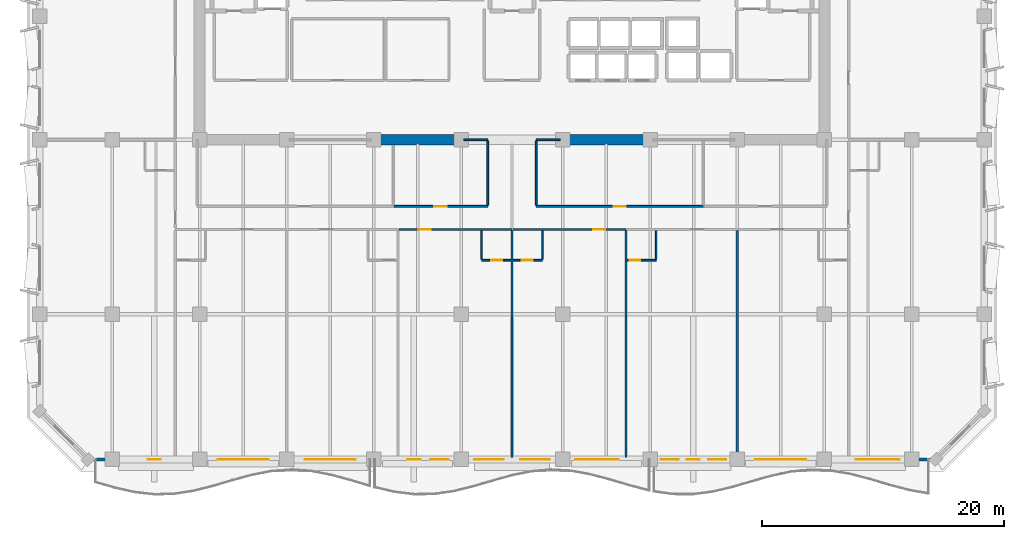
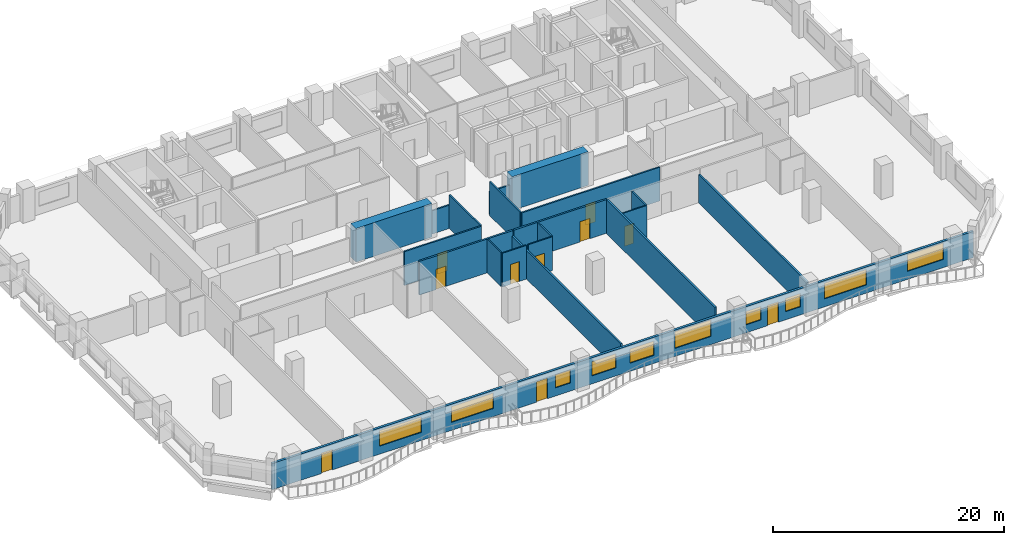
# One storey, part 5 of 14: 20 walls, 10 doors, 10 windows, 20 openings.
"""IFC4 building model written with IfcOpenShell, lengths in metres."""

import ifcopenshell
import ifcopenshell.guid

model = None  # the IFC model being written
_history = None  # IfcOwnerHistory: only IFC2X3 demands one
_inside = {}  # id of a spatial element -> (the spatial element, [elements in it])
_under = {}  # id of a project, library or spatial element -> (it, [spatial elements below it])
_declared = {}  # id of a project -> (the project, [libraries it declares])
_typed = {}  # id of a type object -> (the type object, [elements of that type])
_made_of = {}  # id of a material, layer set ... -> (it, [elements and type objects made of it])


def new_model(schema):
    """Start an empty IFC model of exactly this schema.

    Asked for "IFC4X3", IfcOpenShell would pick the latest addendum, in which some entities
    have other attributes; the version numbers below select the first issue.
    IFC2X3 requires an IfcOwnerHistory on every rooted entity: one is made here for all.
    """
    global model, _history
    if schema == "IFC4X3":
        model = ifcopenshell.file(schema_version=(4, 3, 0, 0))
    else:
        model = ifcopenshell.file(schema=schema)
    _inside.clear()
    _under.clear()
    _declared.clear()
    _typed.clear()
    _made_of.clear()
    _history = None
    if model.schema == "IFC2X3":
        org = make("IfcOrganization", Name="unknown")
        user = make(
            "IfcPersonAndOrganization",
            ThePerson=make("IfcPerson", FamilyName="unknown"),
            TheOrganization=org,
        )
        app = make(
            "IfcApplication",
            ApplicationDeveloper=org,
            Version="unknown",
            ApplicationFullName="unknown",
            ApplicationIdentifier="unknown",
        )
        _history = make(
            "IfcOwnerHistory",
            OwningUser=user,
            OwningApplication=app,
            ChangeAction="ADDED",
            CreationDate=0,
        )
    return model


def make(cls, **values):
    """One entity of the class cls with the attributes given. An attribute that is None is left unset."""
    return model.create_entity(
        cls, **{name: value for name, value in values.items() if value is not None}
    )


def rooted(cls, **values):
    """An entity with a GlobalId (a new one), such as an element, a storey or a relation."""
    return make(cls, GlobalId=ifcopenshell.guid.new(), OwnerHistory=_history, **values)


def si_unit(unit_type, name, prefix=None):
    """IfcSIUnit, for example si_unit("LENGTHUNIT", "METRE", prefix="MILLI")."""
    return make("IfcSIUnit", UnitType=unit_type, Prefix=prefix, Name=name)


def assignment(units):
    """IfcUnitAssignment: the units of a project."""
    return None if units is None else make("IfcUnitAssignment", Units=units)


def point(xyz):
    """IfcCartesianPoint."""
    return None if xyz is None else make("IfcCartesianPoint", Coordinates=xyz)


def direction(xyz):
    """IfcDirection."""
    return None if xyz is None else make("IfcDirection", DirectionRatios=xyz)


def frame(location, z_axis=None, x_axis=None):
    """IfcAxis2Placement3D, a coordinate frame: its origin and axes. An axis left out is left unset."""
    return make(
        "IfcAxis2Placement3D",
        Location=point(location),
        Axis=direction(z_axis),
        RefDirection=direction(x_axis),
    )


def frame_2d(location, x_axis=None):
    """IfcAxis2Placement2D, a coordinate frame in the plane: its origin and x axis."""
    return make(
        "IfcAxis2Placement2D", Location=point(location), RefDirection=direction(x_axis)
    )


def origin():
    """The frame at (0, 0, 0) with its axes left unset."""
    return frame((0.0, 0.0, 0.0))


def place(relative_to, where):
    """IfcLocalPlacement: puts the frame where relative to a parent placement (None: the world)."""
    return make(
        "IfcLocalPlacement", PlacementRelTo=relative_to, RelativePlacement=where
    )


def context(
    kind, dimensions, precision=None, world=None, true_north=None, identifier=None
):
    """IfcGeometricRepresentationContext, for example the 3D "Model" context."""
    return make(
        "IfcGeometricRepresentationContext",
        ContextIdentifier=identifier,
        ContextType=kind,
        CoordinateSpaceDimension=dimensions,
        Precision=precision,
        WorldCoordinateSystem=world,
        TrueNorth=true_north,
    )


def subcontext(parent, identifier, kind, view, scale=None):
    """IfcGeometricRepresentationSubContext, for example "Body" below "Model"."""
    return make(
        "IfcGeometricRepresentationSubContext",
        ContextIdentifier=identifier,
        ContextType=kind,
        ParentContext=parent,
        TargetScale=scale,
        TargetView=view,
    )


def project(units=None, contexts=None):
    """IfcProject with its units and contexts."""
    return rooted(
        "IfcProject",
        Name="project",
        RepresentationContexts=contexts,
        UnitsInContext=assignment(units),
    )


def spatial(cls, under=None, at=None, **own):
    """A site, building, storey or space (cls), placed at a placement, below another one or the project."""
    s = rooted(cls, ObjectPlacement=at, **own)
    if under is not None:
        _under.setdefault(under.id(), (under, []))[1].append(s)
    return s


def profile(cls, at=None, kind="AREA", **sizes):
    """A parametric profile (cls). Its sizes go by their IFC names, for example OverallWidth=200.0."""
    return make(cls, ProfileType=kind, Position=at, **sizes)


def rectangle(**sizes):
    """IfcRectangleProfileDef."""
    return profile("IfcRectangleProfileDef", **sizes)


def extrude(swept, where, along, depth):
    """IfcExtrudedAreaSolid: the profile swept, set in the frame where, extruded along a direction by depth."""
    return make(
        "IfcExtrudedAreaSolid",
        SweptArea=swept,
        Position=where,
        ExtrudedDirection=direction(along),
        Depth=depth,
    )


def shape(context_of_items, identifier, shape_type, items):
    """IfcShapeRepresentation: the items that make up one representation, for example the "Body"."""
    return make(
        "IfcShapeRepresentation",
        ContextOfItems=context_of_items,
        RepresentationIdentifier=identifier,
        RepresentationType=shape_type,
        Items=items,
    )


def material(Name=None, Category=None):
    """IfcMaterial."""
    return make("IfcMaterial", Name=Name, Category=Category)


def layer(
    of_material, thickness, ventilated=None, Name=None, Category=None, Priority=None
):
    """IfcMaterialLayer: one layer of a wall or slab, of a material (None: an air gap)."""
    return make(
        "IfcMaterialLayer",
        Material=of_material,
        LayerThickness=thickness,
        IsVentilated=ventilated,
        Name=Name,
        Category=Category,
        Priority=Priority,
    )


def layer_set(layers, Name=None):
    """IfcMaterialLayerSet."""
    return make("IfcMaterialLayerSet", MaterialLayers=layers, LayerSetName=Name)


def made_of(thing, what):
    """Note that an element or type object is made of a material, layer set ...; save() writes the relation."""
    if what is not None:
        _made_of.setdefault(what.id(), (what, []))[1].append(thing)
    return thing


def type_object(cls, material=None, **own):
    """A type object (cls), such as IfcWallType, which elements share."""
    return made_of(rooted(cls, **own), material)


def element(
    cls,
    number,
    at=None,
    inside=None,
    cuts=None,
    type_object=None,
    material=None,
    context=None,
    identifier="Body",
    shape_type=None,
    held_by="IfcProductDefinitionShape",
    body=None,
    shapes=None,
    **own,
):
    """One element of the class cls, such as IfcWall. Its Tag is "e" and its number.

    at: its placement. inside: the storey or other place that contains it. cuts: it is an
    opening in that element (IfcRelVoidsElement). A single representation is given by context,
    identifier, shape_type and body (its items); several are given by shapes. held_by: the class
    of the entity that holds the representations. save() writes the other relations.
    """
    e = rooted(cls, Tag="e%d" % number, ObjectPlacement=at, **own)
    if body is not None:
        shapes = [shape(context, identifier, shape_type, body)]
    if shapes is not None:
        e.Representation = make(held_by, Representations=shapes)
    if inside is not None:
        _inside.setdefault(inside.id(), (inside, []))[1].append(e)
    if cuts is not None:
        rooted(
            "IfcRelVoidsElement", RelatingBuildingElement=cuts, RelatedOpeningElement=e
        )
    if type_object is not None:
        _typed.setdefault(type_object.id(), (type_object, []))[1].append(e)
    return made_of(e, material)


def fill(opening, filler):
    """IfcRelFillsElement: the door or window that sits in an opening."""
    return rooted(
        "IfcRelFillsElement",
        RelatingOpeningElement=opening,
        RelatedBuildingElement=filler,
    )


def aggregate(whole, parts):
    """IfcRelAggregates: a whole, such as a stair, and the parts it consists of."""
    return rooted("IfcRelAggregates", RelatingObject=whole, RelatedObjects=parts)


def save(model, path):
    """Write the relations noted so far, then the file.

    IfcRelAggregates (storeys below a building ...), IfcRelContainedInSpatialStructure (elements
    in a storey), IfcRelDefinesByType, IfcRelAssociatesMaterial and IfcRelDeclares: one each for
    every whole, place, type object, material and project.
    """
    for whole, parts in _under.values():
        aggregate(whole, parts)
    for where, things in _inside.values():
        rooted(
            "IfcRelContainedInSpatialStructure",
            RelatedElements=things,
            RelatingStructure=where,
        )
    for kind, things in _typed.values():
        rooted("IfcRelDefinesByType", RelatedObjects=things, RelatingType=kind)
    for what, things in _made_of.values():
        rooted("IfcRelAssociatesMaterial", RelatedObjects=things, RelatingMaterial=what)
    for by, libraries in _declared.values():
        rooted("IfcRelDeclares", RelatingContext=by, RelatedDefinitions=libraries)
    model.write(path)


model = new_model("IFC4")

# Units and contexts
model_context = context("Model", 3, precision=1e-05, world=origin(), true_north=direction((0.0, 1.0)))
body_context = subcontext(model_context, "Body", "Model", "MODEL_VIEW")
ifc_project = project(units=[si_unit("LENGTHUNIT", "METRE"), si_unit("AREAUNIT", "SQUARE_METRE"), si_unit("VOLUMEUNIT", "CUBIC_METRE"), si_unit("PLANEANGLEUNIT", "RADIAN"), si_unit("MASSUNIT", "GRAM", prefix="KILO")], contexts=[model_context])

# Site, building, storey
site_placement = place(None, origin())
site = spatial("IfcSite", under=ifc_project, at=site_placement, CompositionType="ELEMENT")
building_placement = place(site_placement, origin())
building = spatial("IfcBuilding", under=site, at=building_placement, Name="Kaelvorn Grand Hotel", CompositionType="ELEMENT")
storey_placement = place(building_placement, frame((0.0, 0.0, 193.949951171875)))
storey = spatial("IfcBuildingStorey", under=building, at=storey_placement, Name="L47", CompositionType="ELEMENT", Elevation=193.949951171875)

# Walls
ifc_material_1 = material(Name="Concrete C60/75", Category="concrete")
ifc_layer_1 = layer(ifc_material_1, 0.89990234375)
ifc_layer_set_1 = layer_set([ifc_layer_1], Name="Concrete C60/75")
wall_type_1 = type_object("IfcWallType", Name="WL-CORE-900-C60", PredefinedType="SHEAR", material=ifc_layer_set_1)
for number, where, z_axis, x_axis, name in (
    (1, (30.39990234375, 29.39990234375, 0.0), (0.0, 0.0, 1.0), (1.0, 0.0, 0.0), "L47 Rear-Core Coupled Shear Pier S2"),
    (2, (46.0, 29.39990234375, 0.0), (0.0, 0.0, 1.0), (1.0, 0.0, 0.0), "L47 Rear-Core Coupled Shear Pier S3"),
):
    element("IfcWall", number, at=place(storey_placement, frame(where, z_axis=z_axis, x_axis=x_axis)), inside=storey, type_object=wall_type_1, Name=name, PredefinedType="SHEAR", context=body_context, shape_type="SweptSolid", body=[
        extrude(rectangle(XDim=7.60009765625, YDim=0.89990234375, at=frame_2d((3.800048828125, 0.0))), origin(), (0.0, 0.0, 1.0), 3.56005859375),
    ])

# Wall, openings, doors, windows
ifc_material_2 = material(Name="Concrete C40/50", Category="concrete")
ifc_layer_2 = layer(ifc_material_2, 0.239990234375)
ifc_layer_set_2 = layer_set([ifc_layer_2], Name="Concrete C40/50")
wall_type_2 = type_object("IfcWallType", Name="WL-EXT-240-C40", PredefinedType="SOLIDWALL", material=ifc_layer_set_2)
wall_1_placement = place(storey_placement, frame((7.0, 3.0, 0.0), z_axis=(0.0, 0.0, 1.0), x_axis=(1.0, 0.0, 0.0)))
wall_1 = element("IfcWall", 3, at=wall_1_placement, inside=storey, type_object=wall_type_2, Name="L47 Exterior Architectural Concrete Wall 01", PredefinedType="SOLIDWALL", context=body_context, shape_type="SweptSolid", body=[
    extrude(rectangle(XDim=70.0, YDim=0.239990234375, at=frame_2d((35.0, 0.0))), origin(), (0.0, 0.0, 1.0), 2.760009765625),
])
opening_1_placement = place(wall_1_placement, frame((4.906982421875, 0.0, 0.0)))
opening_1 = element("IfcOpeningElement", 4, at=opening_1_placement, cuts=wall_1, Name="Opening DE2", PredefinedType="OPENING", context=body_context, shape_type="SweptSolid", body=[
    extrude(rectangle(XDim=1.10009765625, YDim=2.14990234375, at=frame_2d((0.550048828125, 1.074951171875))), frame((0.0, 0.1298828125, 0.0), z_axis=(0.0, -1.0, 0.0), x_axis=(1.0, 0.0, 0.0)), (0.0, 0.0, 1.0), 0.260009765625),
])
opening_2_placement = place(wall_1_placement, frame((26.354736328125, 0.0, 0.0)))
opening_2 = element("IfcOpeningElement", 5, at=opening_2_placement, cuts=wall_1, Name="Opening DE2", PredefinedType="OPENING", context=body_context, shape_type="SweptSolid", body=[
    extrude(rectangle(XDim=1.10009765625, YDim=2.14990234375, at=frame_2d((0.550048828125, 1.074951171875))), frame((0.0, 0.1298828125, 0.0), z_axis=(0.0, -1.0, 0.0), x_axis=(1.0, 0.0, 0.0)), (0.0, 0.0, 1.0), 0.260009765625),
])
opening_3_placement = place(wall_1_placement, frame((49.42138671875, 0.0, 0.0)))
opening_3 = element("IfcOpeningElement", 6, at=opening_3_placement, cuts=wall_1, Name="Opening DE2", PredefinedType="OPENING", context=body_context, shape_type="SweptSolid", body=[
    extrude(rectangle(XDim=1.10009765625, YDim=2.14990234375, at=frame_2d((0.550048828125, 1.074951171875))), frame((0.0, 0.1298828125, 0.0), z_axis=(0.0, -1.0, 0.0), x_axis=(1.0, 0.0, 0.0)), (0.0, 0.0, 1.0), 0.260009765625),
])
opening_4_placement = place(wall_1_placement, frame((10.699951171875, 0.0, 0.85009765625)))
opening_4 = element("IfcOpeningElement", 7, at=opening_4_placement, cuts=wall_1, Name="Opening W2", PredefinedType="OPENING", context=body_context, shape_type="SweptSolid", body=[
    extrude(rectangle(XDim=4.199951171875, YDim=1.64990234375, at=frame_2d((2.10009765625, 0.824951171875))), frame((0.0, 0.1298828125, 0.0), z_axis=(0.0, -1.0, 0.0), x_axis=(1.0, 0.0, 0.0)), (0.0, 0.0, 1.0), 0.260009765625),
])
opening_5_placement = place(wall_1_placement, frame((17.89990234375, 0.0, 0.85009765625)))
opening_5 = element("IfcOpeningElement", 8, at=opening_5_placement, cuts=wall_1, Name="Opening W2", PredefinedType="OPENING", context=body_context, shape_type="SweptSolid", body=[
    extrude(rectangle(XDim=4.199951171875, YDim=1.64990234375, at=frame_2d((2.10009765625, 0.824951171875))), frame((0.0, 0.1298828125, 0.0), z_axis=(0.0, -1.0, 0.0), x_axis=(1.0, 0.0, 0.0)), (0.0, 0.0, 1.0), 0.260009765625),
])
opening_6_placement = place(wall_1_placement, frame((28.262451171875, 0.0, 0.85009765625)))
opening_6 = element("IfcOpeningElement", 9, at=opening_6_placement, cuts=wall_1, Name="Opening W10", PredefinedType="OPENING", context=body_context, shape_type="SweptSolid", body=[
    extrude(rectangle(XDim=1.5, YDim=1.39990234375, at=frame_2d((0.75, 0.699951171875))), frame((0.0, 0.1298828125, 0.0), z_axis=(0.0, -1.0, 0.0), x_axis=(1.0, 0.0, 0.0)), (0.0, 0.0, 1.0), 0.260009765625),
])
opening_7_placement = place(wall_1_placement, frame((31.89990234375, 0.0, 0.85009765625)))
opening_7 = element("IfcOpeningElement", 10, at=opening_7_placement, cuts=wall_1, Name="Opening W6", PredefinedType="OPENING", context=body_context, shape_type="SweptSolid", body=[
    extrude(rectangle(XDim=2.39990234375, YDim=1.5, at=frame_2d((1.199951171875, 0.75))), frame((0.0, 0.1298828125, 0.0), z_axis=(0.0, -1.0, 0.0), x_axis=(1.0, 0.0, 0.0)), (0.0, 0.0, 1.0), 0.260009765625),
])
opening_8_placement = place(wall_1_placement, frame((35.699951171875, 0.0, 0.85009765625)))
opening_8 = element("IfcOpeningElement", 11, at=opening_8_placement, cuts=wall_1, Name="Opening W6", PredefinedType="OPENING", context=body_context, shape_type="SweptSolid", body=[
    extrude(rectangle(XDim=2.39990234375, YDim=1.5, at=frame_2d((1.199951171875, 0.75))), frame((0.0, 0.1298828125, 0.0), z_axis=(0.0, -1.0, 0.0), x_axis=(1.0, 0.0, 0.0)), (0.0, 0.0, 1.0), 0.260009765625),
])
opening_9_placement = place(wall_1_placement, frame((40.20458984375, 0.0, 0.85009765625)))
opening_9 = element("IfcOpeningElement", 12, at=opening_9_placement, cuts=wall_1, Name="Opening W3", PredefinedType="OPENING", context=body_context, shape_type="SweptSolid", body=[
    extrude(rectangle(XDim=3.60009765625, YDim=1.75, at=frame_2d((1.800048828125, 0.875))), frame((0.0, 0.1298828125, 0.0), z_axis=(0.0, -1.0, 0.0), x_axis=(1.0, 0.0, 0.0)), (0.0, 0.0, 1.0), 0.260009765625),
])
opening_10_placement = place(wall_1_placement, frame((47.275634765625, 0.0, 0.85009765625)))
opening_10 = element("IfcOpeningElement", 13, at=opening_10_placement, cuts=wall_1, Name="Opening W10", PredefinedType="OPENING", context=body_context, shape_type="SweptSolid", body=[
    extrude(rectangle(XDim=1.5, YDim=1.39990234375, at=frame_2d((0.75, 0.699951171875))), frame((0.0, 0.1298828125, 0.0), z_axis=(0.0, -1.0, 0.0), x_axis=(1.0, 0.0, 0.0)), (0.0, 0.0, 1.0), 0.260009765625),
])
opening_11_placement = place(wall_1_placement, frame((51.19580078125, 0.0, 0.85009765625)))
opening_11 = element("IfcOpeningElement", 14, at=opening_11_placement, cuts=wall_1, Name="Opening W10", PredefinedType="OPENING", context=body_context, shape_type="SweptSolid", body=[
    extrude(rectangle(XDim=1.5, YDim=1.39990234375, at=frame_2d((0.75, 0.699951171875))), frame((0.0, 0.1298828125, 0.0), z_axis=(0.0, -1.0, 0.0), x_axis=(1.0, 0.0, 0.0)), (0.0, 0.0, 1.0), 0.260009765625),
])
opening_12_placement = place(wall_1_placement, frame((55.10009765625, 0.0, 0.85009765625)))
opening_12 = element("IfcOpeningElement", 15, at=opening_12_placement, cuts=wall_1, Name="Opening W2", PredefinedType="OPENING", context=body_context, shape_type="SweptSolid", body=[
    extrude(rectangle(XDim=4.199951171875, YDim=1.64990234375, at=frame_2d((2.10009765625, 0.824951171875))), frame((0.0, 0.1298828125, 0.0), z_axis=(0.0, -1.0, 0.0), x_axis=(1.0, 0.0, 0.0)), (0.0, 0.0, 1.0), 0.260009765625),
])
opening_13_placement = place(wall_1_placement, frame((63.39990234375, 0.0, 0.85009765625)))
opening_13 = element("IfcOpeningElement", 16, at=opening_13_placement, cuts=wall_1, Name="Opening W3", PredefinedType="OPENING", context=body_context, shape_type="SweptSolid", body=[
    extrude(rectangle(XDim=3.60009765625, YDim=1.75, at=frame_2d((1.800048828125, 0.875))), frame((0.0, 0.1298828125, 0.0), z_axis=(0.0, -1.0, 0.0), x_axis=(1.0, 0.0, 0.0)), (0.0, 0.0, 1.0), 0.260009765625),
])
ifc_material_3 = material(Name="Anodised Aluminium", Category="aluminium")
door_type_1 = type_object("IfcDoorType", Name="DR-EXT-BALC-1100x2150", OperationType="NOTDEFINED", PredefinedType="DOOR", material=ifc_material_3)
door_1_placement = place(opening_1_placement, origin())
door_1 = element("IfcDoor", 17, at=door_1_placement, inside=storey, type_object=door_type_1, Name="L47 Scalloped Balcony Glazed Door DE2-1", OperationType="SINGLE_SWING_RIGHT", OverallHeight=2.14990234375, OverallWidth=1.10009765625, PredefinedType="DOOR", context=body_context, shape_type="SweptSolid", body=[
    extrude(rectangle(XDim=1.10009765625, YDim=2.14990234375, at=frame_2d((0.550048828125, 1.074951171875))), frame((0.0, 0.02490234375, 0.0), z_axis=(0.0, -1.0, 0.0), x_axis=(1.0, 0.0, 0.0)), (0.0, 0.0, 1.0), 0.050048828125),
])
fill(opening_1, door_1)
door_2_placement = place(opening_2_placement, origin())
door_2 = element("IfcDoor", 18, at=door_2_placement, inside=storey, type_object=door_type_1, Name="L47 Scalloped Balcony Glazed Door DE2-2", OperationType="SINGLE_SWING_LEFT", OverallHeight=2.14990234375, OverallWidth=1.10009765625, PredefinedType="DOOR", context=body_context, shape_type="SweptSolid", body=[
    extrude(rectangle(XDim=1.10009765625, YDim=2.14990234375, at=frame_2d((0.550048828125, 1.074951171875))), frame((0.0, 0.02490234375, 0.0), z_axis=(0.0, -1.0, 0.0), x_axis=(1.0, 0.0, 0.0)), (0.0, 0.0, 1.0), 0.050048828125),
])
fill(opening_2, door_2)
door_3_placement = place(opening_3_placement, origin())
door_3 = element("IfcDoor", 19, at=door_3_placement, inside=storey, type_object=door_type_1, Name="L47 Scalloped Balcony Glazed Door DE2-3", OperationType="SINGLE_SWING_RIGHT", OverallHeight=2.14990234375, OverallWidth=1.10009765625, PredefinedType="DOOR", context=body_context, shape_type="SweptSolid", body=[
    extrude(rectangle(XDim=1.10009765625, YDim=2.14990234375, at=frame_2d((0.550048828125, 1.074951171875))), frame((0.0, 0.02490234375, 0.0), z_axis=(0.0, -1.0, 0.0), x_axis=(1.0, 0.0, 0.0)), (0.0, 0.0, 1.0), 0.050048828125),
])
fill(opening_3, door_3)
ifc_material_4 = material(Name="Laminated Low-E Glass", Category="glass")
window_type_1 = type_object("IfcWindowType", Name="WIN-COR-1500x1400", PartitioningType="SINGLE_PANEL", PredefinedType="WINDOW", material=ifc_material_4)
window_1_placement = place(opening_6_placement, origin())
window_1 = element("IfcWindow", 20, at=window_1_placement, inside=storey, type_object=window_type_1, Name="L47 South Guestroom Ribbon Window SR03", OverallHeight=1.39990234375, OverallWidth=1.5, PartitioningType="SINGLE_PANEL", PredefinedType="WINDOW", context=body_context, shape_type="SweptSolid", body=[
    extrude(rectangle(XDim=1.5, YDim=1.39990234375, at=frame_2d((0.75, 0.699951171875))), frame((0.0, 0.030029296875, 0.0), z_axis=(0.0, -1.0, 0.0), x_axis=(1.0, 0.0, 0.0)), (0.0, 0.0, 1.0), 0.06005859375),
])
fill(opening_6, window_1)
window_2_placement = place(opening_10_placement, origin())
window_2 = element("IfcWindow", 21, at=window_2_placement, inside=storey, type_object=window_type_1, Name="L47 South Guestroom Ribbon Window SR07", OverallHeight=1.39990234375, OverallWidth=1.5, PartitioningType="SINGLE_PANEL", PredefinedType="WINDOW", context=body_context, shape_type="SweptSolid", body=[
    extrude(rectangle(XDim=1.5, YDim=1.39990234375, at=frame_2d((0.75, 0.699951171875))), frame((0.0, 0.030029296875, 0.0), z_axis=(0.0, -1.0, 0.0), x_axis=(1.0, 0.0, 0.0)), (0.0, 0.0, 1.0), 0.06005859375),
])
fill(opening_10, window_2)
window_3_placement = place(opening_11_placement, origin())
window_3 = element("IfcWindow", 22, at=window_3_placement, inside=storey, type_object=window_type_1, Name="L47 South Guestroom Ribbon Window SR08", OverallHeight=1.39990234375, OverallWidth=1.5, PartitioningType="SINGLE_PANEL", PredefinedType="WINDOW", context=body_context, shape_type="SweptSolid", body=[
    extrude(rectangle(XDim=1.5, YDim=1.39990234375, at=frame_2d((0.75, 0.699951171875))), frame((0.0, 0.030029296875, 0.0), z_axis=(0.0, -1.0, 0.0), x_axis=(1.0, 0.0, 0.0)), (0.0, 0.0, 1.0), 0.06005859375),
])
fill(opening_11, window_3)
window_type_2 = type_object("IfcWindowType", Name="WIN-NTH-2400x1500", PartitioningType="SINGLE_PANEL", PredefinedType="WINDOW", material=ifc_material_4)
window_4_placement = place(opening_7_placement, origin())
window_4 = element("IfcWindow", 23, at=window_4_placement, inside=storey, type_object=window_type_2, Name="L47 South Guestroom Ribbon Window SR04", OverallHeight=1.5, OverallWidth=2.39990234375, PartitioningType="SINGLE_PANEL", PredefinedType="WINDOW", context=body_context, shape_type="SweptSolid", body=[
    extrude(rectangle(XDim=2.39990234375, YDim=1.5, at=frame_2d((1.199951171875, 0.75))), frame((0.0, 0.030029296875, 0.0), z_axis=(0.0, -1.0, 0.0), x_axis=(1.0, 0.0, 0.0)), (0.0, 0.0, 1.0), 0.06005859375),
])
fill(opening_7, window_4)
window_5_placement = place(opening_8_placement, origin())
window_5 = element("IfcWindow", 24, at=window_5_placement, inside=storey, type_object=window_type_2, Name="L47 South Guestroom Ribbon Window SR05", OverallHeight=1.5, OverallWidth=2.39990234375, PartitioningType="SINGLE_PANEL", PredefinedType="WINDOW", context=body_context, shape_type="SweptSolid", body=[
    extrude(rectangle(XDim=2.39990234375, YDim=1.5, at=frame_2d((1.199951171875, 0.75))), frame((0.0, 0.030029296875, 0.0), z_axis=(0.0, -1.0, 0.0), x_axis=(1.0, 0.0, 0.0)), (0.0, 0.0, 1.0), 0.06005859375),
])
fill(opening_8, window_5)
window_type_3 = type_object("IfcWindowType", Name="WIN-RIB-3600x1750", PartitioningType="SINGLE_PANEL", PredefinedType="WINDOW", material=ifc_material_4)
window_6_placement = place(opening_9_placement, origin())
window_6 = element("IfcWindow", 25, at=window_6_placement, inside=storey, type_object=window_type_3, Name="L47 South Guestroom Ribbon Window SR06", OverallHeight=1.75, OverallWidth=3.60009765625, PartitioningType="SINGLE_PANEL", PredefinedType="WINDOW", context=body_context, shape_type="SweptSolid", body=[
    extrude(rectangle(XDim=3.60009765625, YDim=1.75, at=frame_2d((1.800048828125, 0.875))), frame((0.0, 0.030029296875, 0.0), z_axis=(0.0, -1.0, 0.0), x_axis=(1.0, 0.0, 0.0)), (0.0, 0.0, 1.0), 0.06005859375),
])
fill(opening_9, window_6)
window_7_placement = place(opening_13_placement, origin())
window_7 = element("IfcWindow", 26, at=window_7_placement, inside=storey, type_object=window_type_3, Name="L47 South Guestroom Ribbon Window SR10", OverallHeight=1.75, OverallWidth=3.60009765625, PartitioningType="SINGLE_PANEL", PredefinedType="WINDOW", context=body_context, shape_type="SweptSolid", body=[
    extrude(rectangle(XDim=3.60009765625, YDim=1.75, at=frame_2d((1.800048828125, 0.875))), frame((0.0, 0.030029296875, 0.0), z_axis=(0.0, -1.0, 0.0), x_axis=(1.0, 0.0, 0.0)), (0.0, 0.0, 1.0), 0.06005859375),
])
fill(opening_13, window_7)
window_type_4 = type_object("IfcWindowType", Name="WIN-RIB-4200x1650", PartitioningType="SINGLE_PANEL", PredefinedType="WINDOW", material=ifc_material_4)
window_8_placement = place(opening_4_placement, origin())
window_8 = element("IfcWindow", 27, at=window_8_placement, inside=storey, type_object=window_type_4, Name="L47 South Guestroom Ribbon Window SR01", OverallHeight=1.64990234375, OverallWidth=4.199951171875, PartitioningType="SINGLE_PANEL", PredefinedType="WINDOW", context=body_context, shape_type="SweptSolid", body=[
    extrude(rectangle(XDim=4.199951171875, YDim=1.64990234375, at=frame_2d((2.10009765625, 0.824951171875))), frame((0.0, 0.030029296875, 0.0), z_axis=(0.0, -1.0, 0.0), x_axis=(1.0, 0.0, 0.0)), (0.0, 0.0, 1.0), 0.06005859375),
])
fill(opening_4, window_8)
window_9_placement = place(opening_5_placement, origin())
window_9 = element("IfcWindow", 28, at=window_9_placement, inside=storey, type_object=window_type_4, Name="L47 South Guestroom Ribbon Window SR02", OverallHeight=1.64990234375, OverallWidth=4.199951171875, PartitioningType="SINGLE_PANEL", PredefinedType="WINDOW", context=body_context, shape_type="SweptSolid", body=[
    extrude(rectangle(XDim=4.199951171875, YDim=1.64990234375, at=frame_2d((2.10009765625, 0.824951171875))), frame((0.0, 0.030029296875, 0.0), z_axis=(0.0, -1.0, 0.0), x_axis=(1.0, 0.0, 0.0)), (0.0, 0.0, 1.0), 0.06005859375),
])
fill(opening_5, window_9)
window_10_placement = place(opening_12_placement, origin())
window_10 = element("IfcWindow", 29, at=window_10_placement, inside=storey, type_object=window_type_4, Name="L47 South Guestroom Ribbon Window SR09", OverallHeight=1.64990234375, OverallWidth=4.199951171875, PartitioningType="SINGLE_PANEL", PredefinedType="WINDOW", context=body_context, shape_type="SweptSolid", body=[
    extrude(rectangle(XDim=4.199951171875, YDim=1.64990234375, at=frame_2d((2.10009765625, 0.824951171875))), frame((0.0, 0.030029296875, 0.0), z_axis=(0.0, -1.0, 0.0), x_axis=(1.0, 0.0, 0.0)), (0.0, 0.0, 1.0), 0.06005859375),
])
fill(opening_12, window_10)

# Wall, opening, door
ifc_material_5 = material(Name="Moisture-Resistant Tile & Stud Board")
ifc_layer_3 = layer(ifc_material_5, 0.125)
ifc_layer_set_3 = layer_set([ifc_layer_3], Name="Moisture-Resistant Tile & Stud Board")
wall_type_3 = type_object("IfcWallType", Name="WL-PART-125-WET", PredefinedType="PARTITIONING", material=ifc_layer_set_3)
wall_2_placement = place(storey_placement, frame((39.5, 19.449951171875, 0.0), z_axis=(0.0, 0.0, 1.0), x_axis=(1.0, 0.0, 0.0)))
wall_2 = element("IfcWall", 30, at=wall_2_placement, inside=storey, type_object=wall_type_3, Name="L47 En-suite Bathroom L47-03 S Partition", PredefinedType="PARTITIONING", context=body_context, shape_type="SweptSolid", body=[
    extrude(rectangle(XDim=2.405029296875, YDim=0.125, at=frame_2d((1.20263671875, 0.0))), origin(), (0.0, 0.0, 1.0), 3.56005859375),
])
opening_14_placement = place(wall_2_placement, frame((0.800048828125, 0.0, 0.0)))
opening_14 = element("IfcOpeningElement", 31, at=opening_14_placement, cuts=wall_2, Name="Opening DI4", PredefinedType="OPENING", context=body_context, shape_type="SweptSolid", body=[
    extrude(rectangle(XDim=0.89990234375, YDim=2.10009765625, at=frame_2d((0.449951171875, 1.050048828125))), frame((0.0, 0.072509765625, 0.0), z_axis=(0.0, -1.0, 0.0), x_axis=(1.0, 0.0, 0.0)), (0.0, 0.0, 1.0), 0.14501953125),
])
ifc_material_6 = material(Name="Timber Veneer Leaf", Category="wood")
door_type_2 = type_object("IfcDoorType", Name="DR-INT-BATH-900x2100", OperationType="NOTDEFINED", PredefinedType="DOOR", material=ifc_material_6)
door_4_placement = place(opening_14_placement, origin())
door_4 = element("IfcDoor", 32, at=door_4_placement, inside=storey, type_object=door_type_2, Name="L47 En-suite Bathroom L47-03 Door", OperationType="SINGLE_SWING_LEFT", OverallHeight=2.10009765625, OverallWidth=0.89990234375, PredefinedType="DOOR", context=body_context, shape_type="SweptSolid", body=[
    extrude(rectangle(XDim=0.89990234375, YDim=2.10009765625, at=frame_2d((0.449951171875, 1.050048828125))), frame((0.0, 0.02490234375, 0.0), z_axis=(0.0, -1.0, 0.0), x_axis=(1.0, 0.0, 0.0)), (0.0, 0.0, 1.0), 0.050048828125),
])
fill(opening_14, door_4)

# Wall
wall_3_placement = place(storey_placement, frame((39.5, 19.517578125, 0.0), z_axis=(0.0, 0.0, 1.0), x_axis=(0.0, 1.0, 0.0)))
element("IfcWall", 33, at=wall_3_placement, inside=storey, type_object=wall_type_3, Name="L47 En-suite Bathroom L47-03 W Partition", PredefinedType="PARTITIONING", context=body_context, shape_type="SweptSolid", body=[
    extrude(rectangle(XDim=2.387451171875, YDim=0.125, at=frame_2d((1.19384765625, 0.0))), origin(), (0.0, 0.0, 1.0), 3.56005859375),
])

# Wall, opening, door
wall_4_placement = place(storey_placement, frame((42.094970703125, 19.449951171875, 0.0), z_axis=(0.0, 0.0, 1.0), x_axis=(1.0, 0.0, 0.0)))
wall_4 = element("IfcWall", 34, at=wall_4_placement, inside=storey, type_object=wall_type_3, Name="L47 En-suite Bathroom L47-04 S Partition", PredefinedType="PARTITIONING", context=body_context, shape_type="SweptSolid", body=[
    extrude(rectangle(XDim=2.405029296875, YDim=0.125, at=frame_2d((1.20263671875, 0.0))), origin(), (0.0, 0.0, 1.0), 3.56005859375),
])
opening_15_placement = place(wall_4_placement, frame((0.705078125, 0.0, 0.0)))
opening_15 = element("IfcOpeningElement", 35, at=opening_15_placement, cuts=wall_4, Name="Opening DI4", PredefinedType="OPENING", context=body_context, shape_type="SweptSolid", body=[
    extrude(rectangle(XDim=0.89990234375, YDim=2.10009765625, at=frame_2d((0.449951171875, 1.050048828125))), frame((0.0, 0.072509765625, 0.0), z_axis=(0.0, -1.0, 0.0), x_axis=(1.0, 0.0, 0.0)), (0.0, 0.0, 1.0), 0.14501953125),
])
door_5_placement = place(opening_15_placement, origin())
door_5 = element("IfcDoor", 36, at=door_5_placement, inside=storey, type_object=door_type_2, Name="L47 En-suite Bathroom L47-04 Door", OperationType="SINGLE_SWING_LEFT", OverallHeight=2.10009765625, OverallWidth=0.89990234375, PredefinedType="DOOR", context=body_context, shape_type="SweptSolid", body=[
    extrude(rectangle(XDim=0.89990234375, YDim=2.10009765625, at=frame_2d((0.449951171875, 1.050048828125))), frame((0.0, 0.02490234375, 0.0), z_axis=(0.0, -1.0, 0.0), x_axis=(1.0, 0.0, 0.0)), (0.0, 0.0, 1.0), 0.050048828125),
])
fill(opening_15, door_5)

# Wall
wall_5_placement = place(storey_placement, frame((44.5, 19.517578125, 0.0), z_axis=(0.0, 0.0, 1.0), x_axis=(0.0, 1.0, 0.0)))
element("IfcWall", 37, at=wall_5_placement, inside=storey, type_object=wall_type_3, Name="L47 En-suite Bathroom L47-04 E Partition", PredefinedType="PARTITIONING", context=body_context, shape_type="SweptSolid", body=[
    extrude(rectangle(XDim=2.387451171875, YDim=0.125, at=frame_2d((1.19384765625, 0.0))), origin(), (0.0, 0.0, 1.0), 3.56005859375),
])

# Wall, opening, door
wall_6_placement = place(storey_placement, frame((51.504150390625, 19.449951171875, 0.0), z_axis=(0.0, 0.0, 1.0), x_axis=(1.0, 0.0, 0.0)))
wall_6 = element("IfcWall", 38, at=wall_6_placement, inside=storey, type_object=wall_type_3, Name="L47 En-suite Bathroom L47-05 S Partition", PredefinedType="PARTITIONING", context=body_context, shape_type="SweptSolid", body=[
    extrude(rectangle(XDim=2.405029296875, YDim=0.125, at=frame_2d((1.20263671875, 0.0))), origin(), (0.0, 0.0, 1.0), 3.56005859375),
])
opening_16_placement = place(wall_6_placement, frame((0.205078125, 0.0, 0.0)))
opening_16 = element("IfcOpeningElement", 39, at=opening_16_placement, cuts=wall_6, Name="Opening DI4", PredefinedType="OPENING", context=body_context, shape_type="SweptSolid", body=[
    extrude(rectangle(XDim=0.89990234375, YDim=2.10009765625, at=frame_2d((0.449951171875, 1.050048828125))), frame((0.0, 0.072509765625, 0.0), z_axis=(0.0, -1.0, 0.0), x_axis=(1.0, 0.0, 0.0)), (0.0, 0.0, 1.0), 0.14501953125),
])
door_6_placement = place(opening_16_placement, origin())
door_6 = element("IfcDoor", 40, at=door_6_placement, inside=storey, type_object=door_type_2, Name="L47 En-suite Bathroom L47-05 Door", OperationType="SINGLE_SWING_LEFT", OverallHeight=2.10009765625, OverallWidth=0.89990234375, PredefinedType="DOOR", context=body_context, shape_type="SweptSolid", body=[
    extrude(rectangle(XDim=0.89990234375, YDim=2.10009765625, at=frame_2d((0.449951171875, 1.050048828125))), frame((0.0, 0.02490234375, 0.0), z_axis=(0.0, -1.0, 0.0), x_axis=(1.0, 0.0, 0.0)), (0.0, 0.0, 1.0), 0.050048828125),
])
fill(opening_16, door_6)

# Wall
wall_7_placement = place(storey_placement, frame((53.9091796875, 19.517578125, 0.0), z_axis=(0.0, 0.0, 1.0), x_axis=(0.0, 1.0, 0.0)))
element("IfcWall", 41, at=wall_7_placement, inside=storey, type_object=wall_type_3, Name="L47 En-suite Bathroom L47-05 E Partition", PredefinedType="PARTITIONING", context=body_context, shape_type="SweptSolid", body=[
    extrude(rectangle(XDim=2.387451171875, YDim=0.125, at=frame_2d((1.19384765625, 0.0))), origin(), (0.0, 0.0, 1.0), 3.56005859375),
])

# Wall, opening, door
ifc_material_7 = material(Name="Acoustic Gypsum & Stud Partition")
ifc_layer_4 = layer(ifc_material_7, 0.14990234375)
ifc_layer_set_4 = layer_set([ifc_layer_4], Name="Acoustic Gypsum & Stud Partition")
wall_type_4 = type_object("IfcWallType", Name="WL-PART-150-EI60", PredefinedType="PARTITIONING", material=ifc_layer_set_4)
wall_8_placement = place(storey_placement, frame((32.280029296875, 23.89990234375, 0.0), z_axis=(0.0, 0.0, 1.0), x_axis=(1.0, 0.0, 0.0)))
wall_8 = element("IfcWall", 42, at=wall_8_placement, inside=storey, type_object=wall_type_4, Name="L47 Pastry & Tea Kitchen S Partition", PredefinedType="PARTITIONING", context=body_context, shape_type="SweptSolid", body=[
    extrude(rectangle(XDim=7.719970703125, YDim=0.14990234375, at=frame_2d((3.85986328125, 0.0))), origin(), (0.0, 0.0, 1.0), 3.56005859375),
])
opening_17_placement = place(wall_8_placement, frame((3.320068359375, 0.0, 0.0)))
opening_17 = element("IfcOpeningElement", 43, at=opening_17_placement, cuts=wall_8, Name="Opening DI3", PredefinedType="OPENING", context=body_context, shape_type="SweptSolid", body=[
    extrude(rectangle(XDim=1.0, YDim=2.14990234375, at=frame_2d((0.5, 1.074951171875))), frame((0.0, 0.0849609375, 0.0), z_axis=(0.0, -1.0, 0.0), x_axis=(1.0, 0.0, 0.0)), (0.0, 0.0, 1.0), 0.169921875),
])
ifc_material_8 = material(Name="Timber Veneer Fire Leaf", Category="wood")
door_type_3 = type_object("IfcDoorType", Name="DR-INT-GUEST-1000x2150", OperationType="NOTDEFINED", PredefinedType="DOOR", material=ifc_material_8)
door_7_placement = place(opening_17_placement, origin())
door_7 = element("IfcDoor", 44, at=door_7_placement, inside=storey, type_object=door_type_3, Name="L47 Pastry & Tea Kitchen Door", OperationType="SINGLE_SWING_LEFT", OverallHeight=2.14990234375, OverallWidth=1.0, PredefinedType="DOOR", context=body_context, shape_type="SweptSolid", body=[
    extrude(rectangle(XDim=1.0, YDim=2.14990234375, at=frame_2d((0.5, 1.074951171875))), frame((0.0, 0.02490234375, 0.0), z_axis=(0.0, -1.0, 0.0), x_axis=(1.0, 0.0, 0.0)), (0.0, 0.0, 1.0), 0.050048828125),
])
fill(opening_17, door_7)

# Walls
wall_9_placement = place(storey_placement, frame((38.010009765625, 29.39990234375, 0.0), z_axis=(0.0, 0.0, 1.0), x_axis=(1.0, 0.0, 0.0)))
element("IfcWall", 45, at=wall_9_placement, inside=storey, type_object=wall_type_4, Name="L47 Pastry & Tea Kitchen N Partition", PredefinedType="PARTITIONING", context=body_context, shape_type="SweptSolid", body=[
    extrude(rectangle(XDim=1.989990234375, YDim=0.14990234375, at=frame_2d((0.9951171875, 0.0))), origin(), (0.0, 0.0, 1.0), 2.4599609375),
])
wall_10_placement = place(storey_placement, frame((40.0, 23.97998046875, 0.0), z_axis=(0.0, 0.0, 1.0), x_axis=(0.0, 1.0, 0.0)))
element("IfcWall", 46, at=wall_10_placement, inside=storey, type_object=wall_type_4, Name="L47 Pastry & Tea Kitchen E Partition", PredefinedType="PARTITIONING", context=body_context, shape_type="SweptSolid", body=[
    extrude(rectangle(XDim=5.340087890625, YDim=0.14990234375, at=frame_2d((2.669921875, 0.0))), origin(), (0.0, 0.0, 1.0), 3.56005859375),
])

# Wall, opening, door
wall_11_placement = place(storey_placement, frame((44.0, 23.89990234375, 0.0), z_axis=(0.0, 0.0, 1.0), x_axis=(1.0, 0.0, 0.0)))
wall_11 = element("IfcWall", 47, at=wall_11_placement, inside=storey, type_object=wall_type_4, Name="L47 Family Sitting Room S Partition", PredefinedType="PARTITIONING", context=body_context, shape_type="SweptSolid", body=[
    extrude(rectangle(XDim=13.800048828125, YDim=0.14990234375, at=frame_2d((6.89990234375, 0.0))), origin(), (0.0, 0.0, 1.0), 3.56005859375),
])
opening_18_placement = place(wall_11_placement, frame((6.39990234375, 0.0, 0.0)))
opening_18 = element("IfcOpeningElement", 48, at=opening_18_placement, cuts=wall_11, Name="Opening DI3", PredefinedType="OPENING", context=body_context, shape_type="SweptSolid", body=[
    extrude(rectangle(XDim=1.0, YDim=2.14990234375, at=frame_2d((0.5, 1.074951171875))), frame((0.0, 0.0849609375, 0.0), z_axis=(0.0, -1.0, 0.0), x_axis=(1.0, 0.0, 0.0)), (0.0, 0.0, 1.0), 0.169921875),
])
door_8_placement = place(opening_18_placement, origin())
door_8 = element("IfcDoor", 49, at=door_8_placement, inside=storey, type_object=door_type_3, Name="L47 Family Sitting Room Door", OperationType="SINGLE_SWING_RIGHT", OverallHeight=2.14990234375, OverallWidth=1.0, PredefinedType="DOOR", context=body_context, shape_type="SweptSolid", body=[
    extrude(rectangle(XDim=1.0, YDim=2.14990234375, at=frame_2d((0.5, 1.074951171875))), frame((0.0, 0.02490234375, 0.0), z_axis=(0.0, -1.0, 0.0), x_axis=(1.0, 0.0, 0.0)), (0.0, 0.0, 1.0), 0.050048828125),
])
fill(opening_18, door_8)

# Walls
wall_12_placement = place(storey_placement, frame((44.0, 29.39990234375, 0.0), z_axis=(0.0, 0.0, 1.0), x_axis=(1.0, 0.0, 0.0)))
element("IfcWall", 50, at=wall_12_placement, inside=storey, type_object=wall_type_4, Name="L47 Family Sitting Room N Partition (1)", PredefinedType="PARTITIONING", context=body_context, shape_type="SweptSolid", body=[
    extrude(rectangle(XDim=1.989990234375, YDim=0.14990234375, at=frame_2d((0.9951171875, 0.0))), origin(), (0.0, 0.0, 1.0), 2.4599609375),
])
wall_13_placement = place(storey_placement, frame((44.0, 23.97998046875, 0.0), z_axis=(0.0, 0.0, 1.0), x_axis=(0.0, 1.0, 0.0)))
element("IfcWall", 51, at=wall_13_placement, inside=storey, type_object=wall_type_4, Name="L47 Family Sitting Room W Partition", PredefinedType="PARTITIONING", context=body_context, shape_type="SweptSolid", body=[
    extrude(rectangle(XDim=5.340087890625, YDim=0.14990234375, at=frame_2d((2.669921875, 0.0))), origin(), (0.0, 0.0, 1.0), 3.56005859375),
])

# Wall, opening, door
ifc_layer_5 = layer(ifc_material_7, 0.179931640625)
ifc_layer_set_5 = layer_set([ifc_layer_5], Name="Acoustic Gypsum & Stud Partition")
wall_type_5 = type_object("IfcWallType", Name="WL-PART-180-EI60", PredefinedType="PARTITIONING", material=ifc_layer_set_5)
wall_14_placement = place(storey_placement, frame((32.685791015625, 22.0, 0.0), z_axis=(0.0, 0.0, 1.0), x_axis=(1.0, 0.0, 0.0)))
wall_14 = element("IfcWall", 52, at=wall_14_placement, inside=storey, type_object=wall_type_5, Name="L47 Mid-Rise Signature Suite L47-03 N Partition", PredefinedType="PARTITIONING", context=body_context, shape_type="SweptSolid", body=[
    extrude(rectangle(XDim=9.314208984375, YDim=0.179931640625, at=frame_2d((4.6572265625, 0.0))), origin(), (0.0, 0.0, 1.0), 3.56005859375),
])
opening_19_placement = place(wall_14_placement, frame((1.61962890625, 0.0, 0.0)))
opening_19 = element("IfcOpeningElement", 53, at=opening_19_placement, cuts=wall_14, Name="Opening DI3", PredefinedType="OPENING", context=body_context, shape_type="SweptSolid", body=[
    extrude(rectangle(XDim=1.0, YDim=2.14990234375, at=frame_2d((0.5, 1.074951171875))), frame((0.0, 0.10009765625, 0.0), z_axis=(0.0, -1.0, 0.0), x_axis=(1.0, 0.0, 0.0)), (0.0, 0.0, 1.0), 0.199951171875),
])
door_9_placement = place(opening_19_placement, origin())
door_9 = element("IfcDoor", 54, at=door_9_placement, inside=storey, type_object=door_type_3, Name="L47 Mid-Rise Signature Suite L47-03 Door", OperationType="SINGLE_SWING_RIGHT", OverallHeight=2.14990234375, OverallWidth=1.0, PredefinedType="DOOR", context=body_context, shape_type="SweptSolid", body=[
    extrude(rectangle(XDim=1.0, YDim=2.14990234375, at=frame_2d((0.5, 1.074951171875))), frame((0.0, 0.02490234375, 0.0), z_axis=(0.0, -1.0, 0.0), x_axis=(1.0, 0.0, 0.0)), (0.0, 0.0, 1.0), 0.050048828125),
])
fill(opening_19, door_9)

# Wall
wall_15_placement = place(storey_placement, frame((42.0, 3.14990234375, 0.0), z_axis=(0.0, 0.0, 1.0), x_axis=(0.0, 1.0, 0.0)))
element("IfcWall", 55, at=wall_15_placement, inside=storey, type_object=wall_type_5, Name="L47 Mid-Rise Signature Suite L47-03 E Partition", PredefinedType="PARTITIONING", context=body_context, shape_type="SweptSolid", body=[
    extrude(rectangle(XDim=18.755126953125, YDim=0.179931640625, at=frame_2d((9.37744140625, 0.0))), origin(), (0.0, 0.0, 1.0), 3.010009765625),
])

# Wall, opening, door
wall_16_placement = place(storey_placement, frame((42.094970703125, 22.0, 0.0), z_axis=(0.0, 0.0, 1.0), x_axis=(1.0, 0.0, 0.0)))
wall_16 = element("IfcWall", 56, at=wall_16_placement, inside=storey, type_object=wall_type_5, Name="L47 Mid-Rise Signature Suite L47-04 N Partition", PredefinedType="PARTITIONING", context=body_context, shape_type="SweptSolid", body=[
    extrude(rectangle(XDim=9.314208984375, YDim=0.179931640625, at=frame_2d((4.6572265625, 0.0))), origin(), (0.0, 0.0, 1.0), 3.56005859375),
])
opening_20_placement = place(wall_16_placement, frame((6.599609375, 0.0, 0.0)))
opening_20 = element("IfcOpeningElement", 57, at=opening_20_placement, cuts=wall_16, Name="Opening DI3", PredefinedType="OPENING", context=body_context, shape_type="SweptSolid", body=[
    extrude(rectangle(XDim=1.0, YDim=2.14990234375, at=frame_2d((0.5, 1.074951171875))), frame((0.0, 0.10009765625, 0.0), z_axis=(0.0, -1.0, 0.0), x_axis=(1.0, 0.0, 0.0)), (0.0, 0.0, 1.0), 0.199951171875),
])
door_10_placement = place(opening_20_placement, origin())
door_10 = element("IfcDoor", 58, at=door_10_placement, inside=storey, type_object=door_type_3, Name="L47 Mid-Rise Signature Suite L47-04 Door", OperationType="SINGLE_SWING_RIGHT", OverallHeight=2.14990234375, OverallWidth=1.0, PredefinedType="DOOR", context=body_context, shape_type="SweptSolid", body=[
    extrude(rectangle(XDim=1.0, YDim=2.14990234375, at=frame_2d((0.5, 1.074951171875))), frame((0.0, 0.02490234375, 0.0), z_axis=(0.0, -1.0, 0.0), x_axis=(1.0, 0.0, 0.0)), (0.0, 0.0, 1.0), 0.050048828125),
])
fill(opening_20, door_10)

# Walls
wall_17_placement = place(storey_placement, frame((51.4091796875, 3.14990234375, 0.0), z_axis=(0.0, 0.0, 1.0), x_axis=(0.0, 1.0, 0.0)))
element("IfcWall", 59, at=wall_17_placement, inside=storey, type_object=wall_type_5, Name="L47 Mid-Rise Signature Suite L47-04 E Partition", PredefinedType="PARTITIONING", context=body_context, shape_type="SweptSolid", body=[
    extrude(rectangle(XDim=18.755126953125, YDim=0.179931640625, at=frame_2d((9.37744140625, 0.0))), origin(), (0.0, 0.0, 1.0), 3.56005859375),
])
wall_18_placement = place(storey_placement, frame((60.6044921875, 3.14990234375, 0.0), z_axis=(0.0, 0.0, 1.0), x_axis=(0.0, 1.0, 0.0)))
element("IfcWall", 60, at=wall_18_placement, inside=storey, type_object=wall_type_5, Name="L47 Mid-Rise Signature Suite L47-05 E Partition", PredefinedType="PARTITIONING", context=body_context, shape_type="SweptSolid", body=[
    extrude(rectangle(XDim=18.755126953125, YDim=0.179931640625, at=frame_2d((9.37744140625, 0.0))), origin(), (0.0, 0.0, 1.0), 3.010009765625),
])

save(model, "model.ifc")
